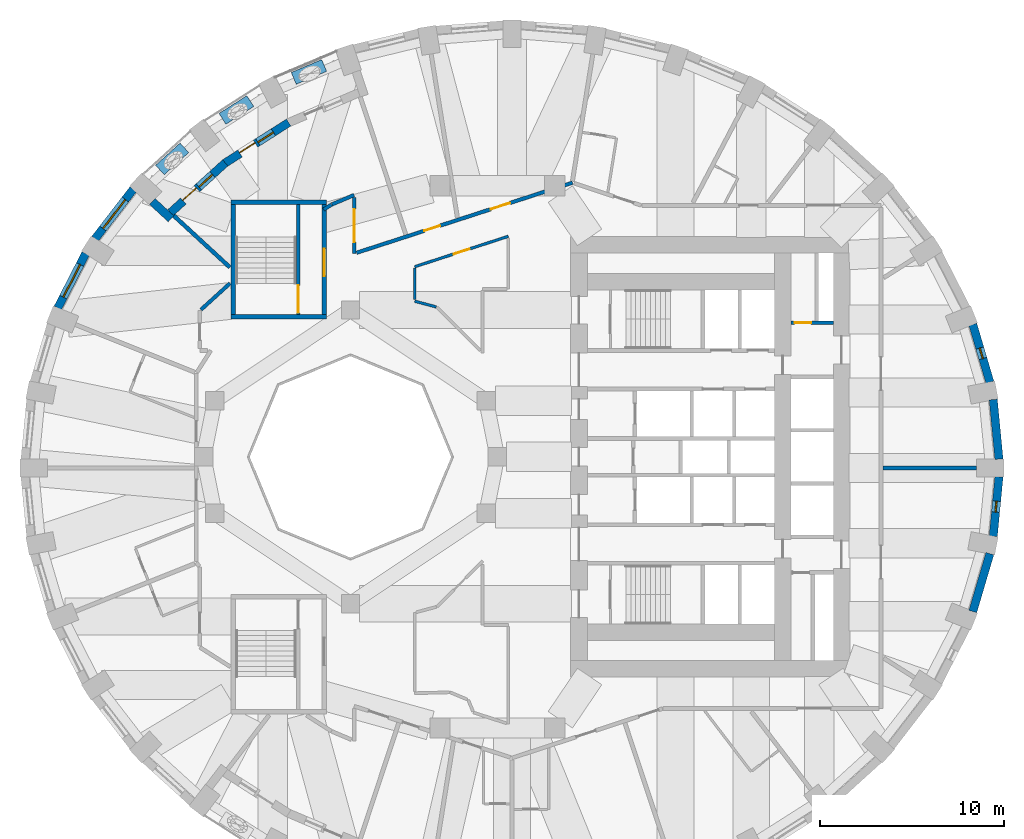
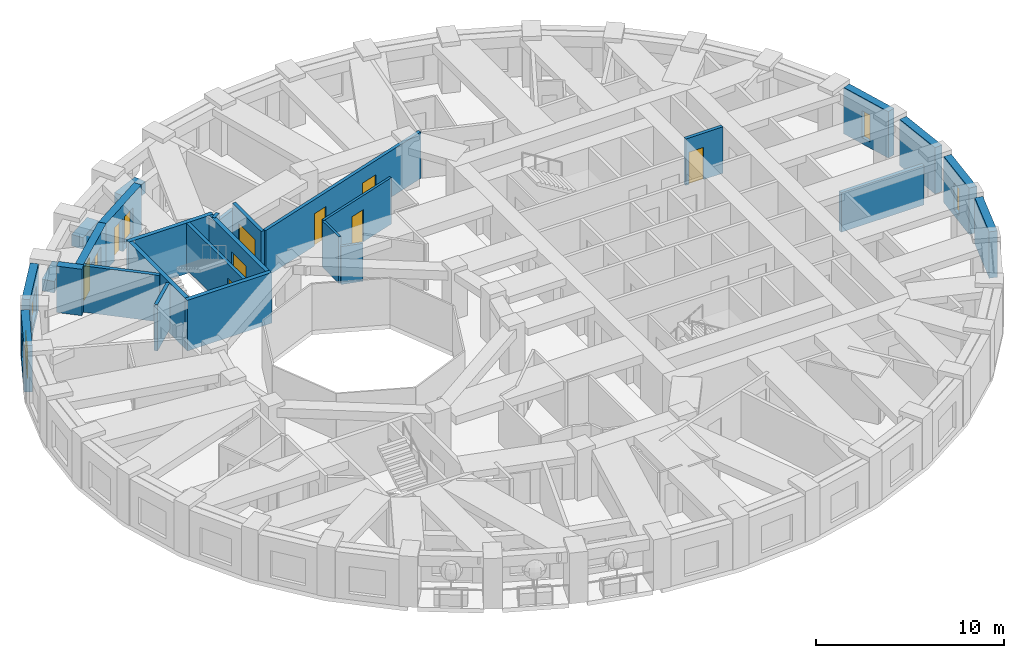
# One storey, part 7 of 12: 28 walls, 9 doors, 6 windows, 15 openings.
"""IFC4 building model written with IfcOpenShell, lengths in metres."""

from ifc_helpers import new_model, si_unit, direction, frame, frame_2d, origin, place, context, subcontext, project, spatial, rectangle, extrude, material, layer, layer_set, constituent, constituent_set, type_object, element, fill, save


model = new_model("IFC4")

# Units and contexts
model_context = context("Model", 3, precision=1e-05, world=origin(), true_north=direction((0.0, 1.0)))
body_context = subcontext(model_context, "Body", "Model", "MODEL_VIEW")
ifc_project = project(units=[si_unit("LENGTHUNIT", "METRE"), si_unit("AREAUNIT", "SQUARE_METRE"), si_unit("VOLUMEUNIT", "CUBIC_METRE"), si_unit("PLANEANGLEUNIT", "RADIAN"), si_unit("MASSUNIT", "GRAM", prefix="KILO")], contexts=[model_context])

# Site, building, storey
site_placement = place(None, origin())
site = spatial("IfcSite", under=ifc_project, at=site_placement, CompositionType="ELEMENT")
building_placement = place(site_placement, origin())
building = spatial("IfcBuilding", under=site, at=building_placement, Name="Taillehof Tower", CompositionType="ELEMENT")
storey_placement = place(building_placement, frame((0.0, 0.0, 121.89990234375)))
storey = spatial("IfcBuildingStorey", under=building, at=storey_placement, Name="L34", CompositionType="ELEMENT", Elevation=121.89990234375)

# Wall
ifc_material_1 = material(Name="Brick masonry", Category="masonry")
ifc_layer_1 = layer(ifc_material_1, 0.449951171875)
ifc_layer_set_1 = layer_set([ifc_layer_1], Name="Brick infill wall 450")
wall_type_1 = type_object("IfcWallType", Name="Brick infill wall 450", PredefinedType="SOLIDWALL", material=ifc_layer_set_1)
wall_1_placement = place(storey_placement, frame((27.32763671875, -0.119873046875, 0.0), z_axis=(0.0, 0.0, 1.0), x_axis=(-0.09589355735, 0.995391594127, 0.0)))
element("IfcWall", 1, at=wall_1_placement, inside=storey, type_object=wall_type_1, Name="Brick wall L34 bay 1", PredefinedType="SOLIDWALL", context=body_context, shape_type="SweptSolid", body=[
    extrude(rectangle(XDim=3.261474609375, YDim=0.449951171875, at=frame_2d((1.630859375, 0.0))), origin(), (0.0, 0.0, 1.0), 3.02001953125),
])

# Wall, opening, window
wall_2_placement = place(storey_placement, frame((26.83203125, 4.069091796875, 0.0), z_axis=(0.0, 0.0, 1.0), x_axis=(-0.283002902729, 0.959119052593, 0.0)))
wall_2 = element("IfcWall", 2, at=wall_2_placement, inside=storey, type_object=wall_type_1, Name="Brick wall L34 bay 2", PredefinedType="SOLIDWALL", context=body_context, shape_type="SweptSolid", body=[
    extrude(rectangle(XDim=3.285888671875, YDim=0.449951171875, at=frame_2d((1.64306640625, 0.0))), origin(), (0.0, 0.0, 1.0), 3.02001953125),
])
opening_1_placement = place(wall_2_placement, frame((1.343017578125, 0.0, 0.39990234375)))
opening_1 = element("IfcOpeningElement", 3, at=opening_1_placement, cuts=wall_2, Name="Opening W6", PredefinedType="OPENING", context=body_context, shape_type="SweptSolid", body=[
    extrude(rectangle(XDim=0.60009765625, YDim=1.75, at=frame_2d((0.300048828125, 0.875))), frame((0.0, 0.23486328125, 0.0), z_axis=(0.0, -1.0, 0.0), x_axis=(1.0, 0.0, 0.0)), (0.0, 0.0, 1.0), 0.469970703125),
])
ifc_material_2 = material(Name="Aluminium window frame with clear double glazing", Category="aluminium")
window_type_1 = type_object("IfcWindowType", Name="Slot window 600x1750", PartitioningType="SINGLE_PANEL", PredefinedType="WINDOW", material=ifc_material_2)
window_1_placement = place(opening_1_placement, origin())
window_1 = element("IfcWindow", 4, at=window_1_placement, inside=storey, type_object=window_type_1, Name="W6", OverallHeight=1.75, OverallWidth=0.60009765625, PartitioningType="SINGLE_PANEL", PredefinedType="WINDOW", context=body_context, shape_type="SweptSolid", body=[
    extrude(rectangle(XDim=0.60009765625, YDim=1.75, at=frame_2d((0.300048828125, 0.875))), frame((0.0, 0.034912109375, 0.0), z_axis=(0.0, -1.0, 0.0), x_axis=(1.0, 0.0, 0.0)), (0.0, 0.0, 1.0), 0.06005859375),
])
fill(opening_1, window_1)

wall_3_placement = place(storey_placement, frame((-19.835205078125, 14.575439453125, 0.0), z_axis=(0.0, 0.0, 1.0), x_axis=(-0.610693945156, -0.791866721961, 0.0)))
wall_3 = element("IfcWall", 5, at=wall_3_placement, inside=storey, type_object=wall_type_1, Name="Brick wall L34 bay 15", PredefinedType="SOLIDWALL", context=body_context, shape_type="SweptSolid", body=[
    extrude(rectangle(XDim=3.39453125, YDim=0.449951171875, at=frame_2d((1.697265625, 0.0))), origin(), (0.0, 0.0, 1.0), 3.02001953125),
])
opening_2_placement = place(wall_3_placement, frame((0.697265625, 0.0, 0.39990234375)))
opening_2 = element("IfcOpeningElement", 6, at=opening_2_placement, cuts=wall_3, Name="Opening W2", PredefinedType="OPENING", context=body_context, shape_type="SweptSolid", body=[
    extrude(rectangle(XDim=2.0, YDim=1.75, at=frame_2d((1.0, 0.875))), frame((0.0, 0.23486328125, 0.0), z_axis=(0.0, -1.0, 0.0), x_axis=(1.0, 0.0, 0.0)), (0.0, 0.0, 1.0), 0.469970703125),
])
ifc_material_3 = material(Name="Aluminium window frame with clear double glazing", Category="aluminium")
window_type_2 = type_object("IfcWindowType", Name="Deep-set window 2000x1750", PartitioningType="SINGLE_PANEL", PredefinedType="WINDOW", material=ifc_material_3)
window_2_placement = place(opening_2_placement, origin())
window_2 = element("IfcWindow", 7, at=window_2_placement, inside=storey, type_object=window_type_2, Name="W2", OverallHeight=1.75, OverallWidth=2.0, PartitioningType="SINGLE_PANEL", PredefinedType="WINDOW", context=body_context, shape_type="SweptSolid", body=[
    extrude(rectangle(XDim=2.0, YDim=1.75, at=frame_2d((1.0, 0.875))), frame((0.0, 0.034912109375, 0.0), z_axis=(0.0, -1.0, 0.0), x_axis=(1.0, 0.0, 0.0)), (0.0, 0.0, 1.0), 0.06005859375),
])
fill(opening_2, window_2)

wall_4_placement = place(storey_placement, frame((-22.4228515625, 11.076904296875, 0.0), z_axis=(0.0, 0.0, 1.0), x_axis=(-0.456828186229, -0.889554949549, 0.0)))
wall_4 = element("IfcWall", 8, at=wall_4_placement, inside=storey, type_object=wall_type_1, Name="Brick wall L34 bay 16", PredefinedType="SOLIDWALL", context=body_context, shape_type="SweptSolid", body=[
    extrude(rectangle(XDim=3.332763671875, YDim=0.449951171875, at=frame_2d((1.66650390625, 0.0))), origin(), (0.0, 0.0, 1.0), 3.02001953125),
])
opening_3_placement = place(wall_4_placement, frame((0.666259765625, 0.0, 0.39990234375)))
opening_3 = element("IfcOpeningElement", 9, at=opening_3_placement, cuts=wall_4, Name="Opening W2", PredefinedType="OPENING", context=body_context, shape_type="SweptSolid", body=[
    extrude(rectangle(XDim=2.0, YDim=1.75, at=frame_2d((1.0, 0.875))), frame((0.0, 0.23486328125, 0.0), z_axis=(0.0, -1.0, 0.0), x_axis=(1.0, 0.0, 0.0)), (0.0, 0.0, 1.0), 0.469970703125),
])
window_3_placement = place(opening_3_placement, origin())
window_3 = element("IfcWindow", 10, at=window_3_placement, inside=storey, type_object=window_type_2, Name="W2", OverallHeight=1.75, OverallWidth=2.0, PartitioningType="SINGLE_PANEL", PredefinedType="WINDOW", context=body_context, shape_type="SweptSolid", body=[
    extrude(rectangle(XDim=2.0, YDim=1.75, at=frame_2d((1.0, 0.875))), frame((0.0, 0.034912109375, 0.0), z_axis=(0.0, -1.0, 0.0), x_axis=(1.0, 0.0, 0.0)), (0.0, 0.0, 1.0), 0.06005859375),
])
fill(opening_3, window_3)

# Wall
wall_5_placement = place(storey_placement, frame((25.902099609375, -8.4208984375, 0.0), z_axis=(0.0, 0.0, 1.0), x_axis=(0.282982737009, 0.95912500257, 0.0)))
element("IfcWall", 11, at=wall_5_placement, inside=storey, type_object=wall_type_1, Name="Brick wall L34 bay 35", PredefinedType="SOLIDWALL", context=body_context, shape_type="SweptSolid", body=[
    extrude(rectangle(XDim=3.2861328125, YDim=0.449951171875, at=frame_2d((1.64306640625, 0.0))), origin(), (0.0, 0.0, 1.0), 3.02001953125),
])

# Wall, opening, window
wall_6_placement = place(storey_placement, frame((27.014892578125, -4.326416015625, 0.0), z_axis=(0.0, 0.0, 1.0), x_axis=(0.09589355735, 0.995391594127, 0.0)))
wall_6 = element("IfcWall", 12, at=wall_6_placement, inside=storey, type_object=wall_type_1, Name="Brick wall L34 bay 36", PredefinedType="SOLIDWALL", context=body_context, shape_type="SweptSolid", body=[
    extrude(rectangle(XDim=3.261474609375, YDim=0.449951171875, at=frame_2d((1.630859375, 0.0))), origin(), (0.0, 0.0, 1.0), 3.02001953125),
])
opening_4_placement = place(wall_6_placement, frame((1.33056640625, 0.0, 0.39990234375)))
opening_4 = element("IfcOpeningElement", 13, at=opening_4_placement, cuts=wall_6, Name="Opening W6", PredefinedType="OPENING", context=body_context, shape_type="SweptSolid", body=[
    extrude(rectangle(XDim=0.60009765625, YDim=1.75, at=frame_2d((0.300048828125, 0.875))), frame((0.0, 0.23486328125, 0.0), z_axis=(0.0, -1.0, 0.0), x_axis=(1.0, 0.0, 0.0)), (0.0, 0.0, 1.0), 0.469970703125),
])
window_4_placement = place(opening_4_placement, origin())
window_4 = element("IfcWindow", 14, at=window_4_placement, inside=storey, type_object=window_type_1, Name="W6", OverallHeight=1.75, OverallWidth=0.60009765625, PartitioningType="SINGLE_PANEL", PredefinedType="WINDOW", context=body_context, shape_type="SweptSolid", body=[
    extrude(rectangle(XDim=0.60009765625, YDim=1.75, at=frame_2d((0.300048828125, 0.875))), frame((0.0, 0.034912109375, 0.0), z_axis=(0.0, -1.0, 0.0), x_axis=(1.0, 0.0, 0.0)), (0.0, 0.0, 1.0), 0.06005859375),
])
fill(opening_4, window_4)

# Wall
wall_7_placement = place(storey_placement, frame((-18.794677734375, 13.916015625, 0.0), z_axis=(0.0, 0.0, 1.0), x_axis=(0.735395448697, -0.677638202905, 0.0)))
element("IfcWall", 15, at=wall_7_placement, inside=storey, type_object=wall_type_1, Name="Brick reveal L34 pocket 3", PredefinedType="SOLIDWALL", context=body_context, shape_type="SweptSolid", body=[
    extrude(rectangle(XDim=1.390625, YDim=0.449951171875, at=frame_2d((0.6953125, 0.0))), origin(), (0.0, 0.0, 1.0), 3.02001953125),
])

# Wall, openings, door, window
wall_8_placement = place(storey_placement, frame((-11.3623046875, 18.216796875, 0.0), z_axis=(0.0, 0.0, 1.0), x_axis=(-0.843284405788, -0.537467590609, 0.0)))
wall_8 = element("IfcWall", 16, at=wall_8_placement, inside=storey, type_object=wall_type_1, Name="Brick wall L34 pocket bay 13", PredefinedType="SOLIDWALL", context=body_context, shape_type="SweptSolid", body=[
    extrude(rectangle(XDim=4.134521484375, YDim=0.449951171875, at=frame_2d((2.0673828125, 0.0))), origin(), (0.0, 0.0, 1.0), 3.02001953125),
])
opening_5_placement = place(wall_8_placement, frame((0.9921875, 0.0, 0.39990234375)))
opening_5 = element("IfcOpeningElement", 17, at=opening_5_placement, cuts=wall_8, Name="Opening W5", PredefinedType="OPENING", context=body_context, shape_type="SweptSolid", body=[
    extrude(rectangle(XDim=1.0, YDim=1.75, at=frame_2d((0.5, 0.875))), frame((0.0, 0.23486328125, 0.0), z_axis=(0.0, -1.0, 0.0), x_axis=(1.0, 0.0, 0.0)), (0.0, 0.0, 1.0), 0.469970703125),
])
opening_6_placement = place(wall_8_placement, frame((2.142333984375, 0.0, 0.0)))
opening_6 = element("IfcOpeningElement", 18, at=opening_6_placement, cuts=wall_8, Name="Opening D3495", PredefinedType="OPENING", context=body_context, shape_type="SweptSolid", body=[
    extrude(rectangle(XDim=1.0, YDim=2.14990234375, at=frame_2d((0.5, 1.074951171875))), frame((0.0, 0.23486328125, 0.0), z_axis=(0.0, -1.0, 0.0), x_axis=(1.0, 0.0, 0.0)), (0.0, 0.0, 1.0), 0.469970703125),
])
ifc_material_4 = material(Name="Aluminium door frame with clear double glazing", Category="aluminium")
door_type_1 = type_object("IfcDoorType", Name="Balcony door 1000x2150", OperationType="SINGLE_SWING_RIGHT", PredefinedType="DOOR", material=ifc_material_4)
door_1_placement = place(opening_6_placement, frame((1.0, 0.0, 0.0), z_axis=(0.0, 0.0, 1.0), x_axis=(-1.0, 0.0, 0.0)))
door_1 = element("IfcDoor", 19, at=door_1_placement, inside=storey, type_object=door_type_1, Name="Balcony door L34 bay 13", OperationType="SINGLE_SWING_LEFT", OverallHeight=2.14990234375, OverallWidth=1.0, PredefinedType="DOOR", context=body_context, shape_type="SweptSolid", body=[
    extrude(rectangle(XDim=1.0, YDim=2.14990234375, at=frame_2d((0.5, 1.074951171875))), frame((0.0, 0.0751953125, 0.0), z_axis=(0.0, -1.0, 0.0), x_axis=(1.0, 0.0, 0.0)), (0.0, 0.0, 1.0), 0.050048828125),
])
fill(opening_6, door_1)
ifc_material_5 = material(Name="Aluminium window frame with clear double glazing", Category="aluminium")
window_type_3 = type_object("IfcWindowType", Name="Fixed window 1000x1750", PartitioningType="SINGLE_PANEL", PredefinedType="WINDOW", material=ifc_material_5)
window_5_placement = place(opening_5_placement, origin())
window_5 = element("IfcWindow", 20, at=window_5_placement, inside=storey, type_object=window_type_3, Name="W5", OverallHeight=1.75, OverallWidth=1.0, PartitioningType="SINGLE_PANEL", PredefinedType="WINDOW", context=body_context, shape_type="SweptSolid", body=[
    extrude(rectangle(XDim=1.0, YDim=1.75, at=frame_2d((0.5, 0.875))), frame((0.0, 0.034912109375, 0.0), z_axis=(0.0, -1.0, 0.0), x_axis=(1.0, 0.0, 0.0)), (0.0, 0.0, 1.0), 0.06005859375),
])
fill(opening_5, window_5)

wall_9_placement = place(storey_placement, frame((-14.818359375, 16.01806640625, 0.0), z_axis=(0.0, 0.0, 1.0), x_axis=(-0.739460283824, -0.673200184675, 0.0)))
wall_9 = element("IfcWall", 21, at=wall_9_placement, inside=storey, type_object=wall_type_1, Name="Brick wall L34 pocket bay 14", PredefinedType="SOLIDWALL", context=body_context, shape_type="SweptSolid", body=[
    extrude(rectangle(XDim=4.031005859375, YDim=0.449951171875, at=frame_2d((2.015625, 0.0))), origin(), (0.0, 0.0, 1.0), 3.02001953125),
])
opening_7_placement = place(wall_9_placement, frame((0.9404296875, 0.0, 0.39990234375)))
opening_7 = element("IfcOpeningElement", 22, at=opening_7_placement, cuts=wall_9, Name="Opening W5", PredefinedType="OPENING", context=body_context, shape_type="SweptSolid", body=[
    extrude(rectangle(XDim=1.0, YDim=1.75, at=frame_2d((0.5, 0.875))), frame((0.0, 0.23486328125, 0.0), z_axis=(0.0, -1.0, 0.0), x_axis=(1.0, 0.0, 0.0)), (0.0, 0.0, 1.0), 0.469970703125),
])
opening_8_placement = place(wall_9_placement, frame((2.090576171875, 0.0, 0.0)))
opening_8 = element("IfcOpeningElement", 23, at=opening_8_placement, cuts=wall_9, Name="Opening D3496", PredefinedType="OPENING", context=body_context, shape_type="SweptSolid", body=[
    extrude(rectangle(XDim=1.0, YDim=2.14990234375, at=frame_2d((0.5, 1.074951171875))), frame((0.0, 0.23486328125, 0.0), z_axis=(0.0, -1.0, 0.0), x_axis=(1.0, 0.0, 0.0)), (0.0, 0.0, 1.0), 0.469970703125),
])
door_2_placement = place(opening_8_placement, frame((1.0, 0.0, 0.0), z_axis=(0.0, 0.0, 1.0), x_axis=(-1.0, 0.0, 0.0)))
door_2 = element("IfcDoor", 24, at=door_2_placement, inside=storey, type_object=door_type_1, Name="Balcony door L34 bay 14", OperationType="SINGLE_SWING_LEFT", OverallHeight=2.14990234375, OverallWidth=1.0, PredefinedType="DOOR", context=body_context, shape_type="SweptSolid", body=[
    extrude(rectangle(XDim=1.0, YDim=2.14990234375, at=frame_2d((0.5, 1.074951171875))), frame((0.0, 0.0751953125, 0.0), z_axis=(0.0, -1.0, 0.0), x_axis=(1.0, 0.0, 0.0)), (0.0, 0.0, 1.0), 0.050048828125),
])
fill(opening_8, door_2)
window_6_placement = place(opening_7_placement, origin())
window_6 = element("IfcWindow", 25, at=window_6_placement, inside=storey, type_object=window_type_3, Name="W5", OverallHeight=1.75, OverallWidth=1.0, PartitioningType="SINGLE_PANEL", PredefinedType="WINDOW", context=body_context, shape_type="SweptSolid", body=[
    extrude(rectangle(XDim=1.0, YDim=1.75, at=frame_2d((0.5, 0.875))), frame((0.0, 0.034912109375, 0.0), z_axis=(0.0, -1.0, 0.0), x_axis=(1.0, 0.0, 0.0)), (0.0, 0.0, 1.0), 0.06005859375),
])
fill(opening_7, window_6)

# Wall, opening, door
ifc_material_6 = material(Name="Calcium silicate masonry", Category="masonry")
ifc_layer_2 = layer(ifc_material_6, 0.199951171875)
ifc_layer_set_2 = layer_set([ifc_layer_2], Name="Compartment wall calcium silicate 200")
wall_type_2 = type_object("IfcWallType", Name="Compartment wall calcium silicate 200", PredefinedType="PARTITIONING", material=ifc_layer_set_2)
wall_10_placement = place(storey_placement, frame((16.0, 7.300048828125, 0.0), z_axis=(0.0, 0.0, 1.0), x_axis=(1.0, 0.0, 0.0)))
wall_10 = element("IfcWall", 26, at=wall_10_placement, inside=storey, type_object=wall_type_2, Name="Compartment wall FW", PredefinedType="PARTITIONING", context=body_context, shape_type="SweptSolid", body=[
    extrude(rectangle(XDim=2.300048828125, YDim=0.199951171875, at=frame_2d((1.14990234375, 0.0))), origin(), (0.0, 0.0, 1.0), 3.02001953125),
])
opening_9_placement = place(wall_10_placement, frame((0.199951171875, 0.0, 0.0)))
opening_9 = element("IfcOpeningElement", 27, at=opening_9_placement, cuts=wall_10, Name="Opening D3416", PredefinedType="OPENING", context=body_context, shape_type="SweptSolid", body=[
    extrude(rectangle(XDim=0.89990234375, YDim=2.10009765625, at=frame_2d((0.449951171875, 1.050048828125))), frame((0.0, 0.10986328125, 0.0), z_axis=(0.0, -1.0, 0.0), x_axis=(1.0, 0.0, 0.0)), (0.0, 0.0, 1.0), 0.219970703125),
])
ifc_material_7 = material(Name="Steel-faced fire door", Category="steel")
door_type_2 = type_object("IfcDoorType", Name="Riser and service room door 900x2100", OperationType="SINGLE_SWING_LEFT", PredefinedType="DOOR", material=ifc_material_7)
door_3_placement = place(opening_9_placement, origin())
door_3 = element("IfcDoor", 28, at=door_3_placement, inside=storey, type_object=door_type_2, Name="Door Waste Room", OperationType="SINGLE_SWING_RIGHT", OverallHeight=2.10009765625, OverallWidth=0.89990234375, PredefinedType="DOOR", context=body_context, shape_type="SweptSolid", body=[
    extrude(rectangle(XDim=0.89990234375, YDim=2.10009765625, at=frame_2d((0.449951171875, 1.050048828125))), frame((0.0, 0.02490234375, 0.0), z_axis=(0.0, -1.0, 0.0), x_axis=(1.0, 0.0, 0.0)), (0.0, 0.0, 1.0), 0.050048828125),
])
fill(opening_9, door_3)

# Walls
ifc_material_8 = material(Name="Gypsum board on steel studs, two layers each side", Category="steel")
ifc_layer_3 = layer(ifc_material_8, 0.199951171875)
ifc_layer_set_3 = layer_set([ifc_layer_3], Name="Compartment wall corridor 200")
wall_type_3 = type_object("IfcWallType", Name="Compartment wall corridor 200", PredefinedType="PARTITIONING", material=ifc_layer_set_3)
wall_11_placement = place(storey_placement, frame((-16.140380859375, 8.0185546875, 0.0), z_axis=(0.0, 0.0, 1.0), x_axis=(0.739392120684, 0.673275049197, 0.0)))
element("IfcWall", 29, at=wall_11_placement, inside=storey, type_object=wall_type_3, Name="Compartment wall", PredefinedType="PARTITIONING", context=body_context, shape_type="SweptSolid", body=[
    extrude(rectangle(XDim=2.137939453125, YDim=0.199951171875, at=frame_2d((1.06884765625, 0.0))), origin(), (0.0, 0.0, 1.0), 3.02001953125),
])
wall_12_placement = place(storey_placement, frame((-9.455078125, 13.4736328125, 0.0), z_axis=(0.0, 0.0, 1.0), x_axis=(0.843342387181, 0.537376607216, 0.0)))
element("IfcWall", 30, at=wall_12_placement, inside=storey, type_object=wall_type_3, Name="Compartment wall", PredefinedType="PARTITIONING", context=body_context, shape_type="SweptSolid", body=[
    extrude(rectangle(XDim=0.50439453125, YDim=0.199951171875, at=frame_2d((0.252197265625, 0.0))), origin(), (0.0, 0.0, 1.0), 3.02001953125),
])
wall_13_placement = place(storey_placement, frame((-9.011474609375, 13.75244140625, 0.0), z_axis=(0.0, 0.0, 1.0), x_axis=(0.920454408747, 0.390849947446, 0.0)))
element("IfcWall", 31, at=wall_13_placement, inside=storey, type_object=wall_type_3, Name="Compartment wall", PredefinedType="PARTITIONING", context=body_context, shape_type="SweptSolid", body=[
    extrude(rectangle(XDim=1.316162109375, YDim=0.199951171875, at=frame_2d((0.658203125, 0.0))), origin(), (0.0, 0.0, 1.0), 2.570068359375),
])

# Wall, opening, door
wall_14_placement = place(storey_placement, frame((-7.800048828125, 14.126708984375, 0.0), z_axis=(0.0, 0.0, 1.0), x_axis=(0.0, -1.0, 0.0)))
wall_14 = element("IfcWall", 32, at=wall_14_placement, inside=storey, type_object=wall_type_3, Name="Compartment wall", PredefinedType="PARTITIONING", context=body_context, shape_type="SweptSolid", body=[
    extrude(rectangle(XDim=3.05029296875, YDim=0.199951171875, at=frame_2d((1.525146484375, 0.0))), origin(), (0.0, 0.0, 1.0), 3.02001953125),
])
opening_10_placement = place(wall_14_placement, frame((0.625244140625, 0.0, 0.0)))
opening_10 = element("IfcOpeningElement", 33, at=opening_10_placement, cuts=wall_14, Name="Opening D3446", PredefinedType="OPENING", context=body_context, shape_type="SweptSolid", body=[
    extrude(rectangle(XDim=1.800048828125, YDim=2.10009765625, at=frame_2d((0.89990234375, 1.050048828125))), frame((0.0, 0.10986328125, 0.0), z_axis=(0.0, -1.0, 0.0), x_axis=(1.0, 0.0, 0.0)), (0.0, 0.0, 1.0), 0.219970703125),
])
ifc_material_9 = material(Name="Timber door leaf in steel frame", Category="steel")
door_type_3 = type_object("IfcDoorType", Name="Lounge and meeting room double door EI 30 1800 x 2100", OperationType="SINGLE_SWING_LEFT", PredefinedType="DOOR", material=ifc_material_9)
door_4_placement = place(opening_10_placement, origin())
door_4 = element("IfcDoor", 34, at=door_4_placement, inside=storey, type_object=door_type_3, Name="D3446", OperationType="DOUBLE_DOOR_SINGLE_SWING", OverallHeight=2.10009765625, OverallWidth=1.800048828125, PredefinedType="DOOR", context=body_context, shape_type="SweptSolid", body=[
    extrude(rectangle(XDim=1.800048828125, YDim=2.10009765625, at=frame_2d((0.89990234375, 1.050048828125))), frame((0.0, 0.02490234375, 0.0), z_axis=(0.0, -1.0, 0.0), x_axis=(1.0, 0.0, 0.0)), (0.0, 0.0, 1.0), 0.050048828125),
])
fill(opening_10, door_4)

# Wall, openings, doors
wall_15_placement = place(storey_placement, frame((-7.666748046875, 11.119140625, 0.0), z_axis=(0.0, 0.0, 1.0), x_axis=(0.951088334028, 0.308919052304, 0.0)))
wall_15 = element("IfcWall", 35, at=wall_15_placement, inside=storey, type_object=wall_type_3, Name="Compartment wall", PredefinedType="PARTITIONING", context=body_context, shape_type="SweptSolid", body=[
    extrude(rectangle(XDim=12.362060546875, YDim=0.199951171875, at=frame_2d((6.18115234375, 0.0))), origin(), (0.0, 0.0, 1.0), 3.02001953125),
])
opening_11_placement = place(wall_15_placement, frame((7.686279296875, 0.0, 0.0)))
opening_11 = element("IfcOpeningElement", 36, at=opening_11_placement, cuts=wall_15, Name="Opening D3444", PredefinedType="OPENING", context=body_context, shape_type="SweptSolid", body=[
    extrude(rectangle(XDim=1.10009765625, YDim=2.10009765625, at=frame_2d((0.550048828125, 1.050048828125))), frame((0.0, 0.10986328125, 0.0), z_axis=(0.0, -1.0, 0.0), x_axis=(1.0, 0.0, 0.0)), (0.0, 0.0, 1.0), 0.219970703125),
])
opening_12_placement = place(wall_15_placement, frame((3.879638671875, 0.0, 0.0)))
opening_12 = element("IfcOpeningElement", 37, at=opening_12_placement, cuts=wall_15, Name="Opening D3445", PredefinedType="OPENING", context=body_context, shape_type="SweptSolid", body=[
    extrude(rectangle(XDim=0.89990234375, YDim=2.10009765625, at=frame_2d((0.449951171875, 1.050048828125))), frame((0.0, 0.10986328125, 0.0), z_axis=(0.0, -1.0, 0.0), x_axis=(1.0, 0.0, 0.0)), (0.0, 0.0, 1.0), 0.219970703125),
])
ifc_material_10 = material(Name="Timber door leaf in steel frame", Category="steel")
door_type_4 = type_object("IfcDoorType", Name="Service room door EI 30 900 x 2100", OperationType="SINGLE_SWING_LEFT", PredefinedType="DOOR", material=ifc_material_10)
door_5_placement = place(opening_12_placement, origin())
door_5 = element("IfcDoor", 38, at=door_5_placement, inside=storey, type_object=door_type_4, Name="D3445", OperationType="SINGLE_SWING_RIGHT", OverallHeight=2.10009765625, OverallWidth=0.89990234375, PredefinedType="DOOR", context=body_context, shape_type="SweptSolid", body=[
    extrude(rectangle(XDim=0.89990234375, YDim=2.10009765625, at=frame_2d((0.449951171875, 1.050048828125))), frame((0.0, 0.02490234375, 0.0), z_axis=(0.0, -1.0, 0.0), x_axis=(1.0, 0.0, 0.0)), (0.0, 0.0, 1.0), 0.050048828125),
])
fill(opening_12, door_5)
ifc_material_11 = material(Name="Timber door leaf in steel frame", Category="steel")
door_type_5 = type_object("IfcDoorType", Name="Suite entrance door EI 30 1100 x 2100", OperationType="SINGLE_SWING_LEFT", PredefinedType="DOOR", material=ifc_material_11)
door_6_placement = place(opening_11_placement, origin())
door_6 = element("IfcDoor", 39, at=door_6_placement, inside=storey, type_object=door_type_5, Name="D3444", OperationType="SINGLE_SWING_LEFT", OverallHeight=2.10009765625, OverallWidth=1.10009765625, PredefinedType="DOOR", context=body_context, shape_type="SweptSolid", body=[
    extrude(rectangle(XDim=1.10009765625, YDim=2.10009765625, at=frame_2d((0.550048828125, 1.050048828125))), frame((0.0, 0.02490234375, 0.0), z_axis=(0.0, -1.0, 0.0), x_axis=(1.0, 0.0, 0.0)), (0.0, 0.0, 1.0), 0.050048828125),
])
fill(opening_11, door_6)

# Walls
ifc_material_12 = material(Name="Gypsum board on double steel studs with mineral wool", Category="steel")
ifc_layer_4 = layer(ifc_material_12, 0.219970703125)
ifc_layer_set_4 = layer_set([ifc_layer_4], Name="Compartment wall guest room 220")
wall_type_4 = type_object("IfcWallType", Name="Compartment wall guest room 220", PredefinedType="PARTITIONING", material=ifc_layer_set_4)
wall_16_placement = place(storey_placement, frame((26.10009765625, -0.60009765625, 0.0), z_axis=(0.0, 0.0, 1.0), x_axis=(-1.0, 0.0, 0.0)))
element("IfcWall", 40, at=wall_16_placement, inside=storey, type_object=wall_type_4, Name="Compartment wall", PredefinedType="PARTITIONING", context=body_context, shape_type="SweptSolid", body=[
    extrude(rectangle(XDim=5.10009765625, YDim=0.219970703125, at=frame_2d((2.550048828125, 0.0))), origin(), (0.0, 0.0, 1.0), 2.570068359375),
])
wall_17_placement = place(storey_placement, frame((-17.633056640625, 13.1513671875, 0.0), z_axis=(0.0, 0.0, 1.0), x_axis=(0.73535370522, -0.677683501511, 0.0)))
element("IfcWall", 41, at=wall_17_placement, inside=storey, type_object=wall_type_4, Name="Compartment wall", PredefinedType="PARTITIONING", context=body_context, shape_type="SweptSolid", body=[
    extrude(rectangle(XDim=4.165771484375, YDim=0.219970703125, at=frame_2d((2.0830078125, 0.0))), origin(), (0.0, 0.0, 1.0), 3.02001953125),
])

# Wall, opening, door
ifc_material_13 = material(Name="Gypsum board on steel studs, two layers each side", Category="steel")
ifc_layer_5 = layer(ifc_material_13, 0.14990234375)
ifc_layer_set_5 = layer_set([ifc_layer_5], Name="Compartment wall service room 150")
wall_type_5 = type_object("IfcWallType", Name="Compartment wall service room 150", PredefinedType="PARTITIONING", material=ifc_layer_set_5)
wall_18_placement = place(storey_placement, frame((-4.5, 10.360595703125, 0.0), z_axis=(0.0, 0.0, 1.0), x_axis=(0.951090931116, 0.308911056372, 0.0)))
wall_18 = element("IfcWall", 42, at=wall_18_placement, inside=storey, type_object=wall_type_5, Name="Compartment wall", PredefinedType="PARTITIONING", context=body_context, shape_type="SweptSolid", body=[
    extrude(rectangle(XDim=5.3623046875, YDim=0.14990234375, at=frame_2d((2.68115234375, 0.0))), origin(), (0.0, 0.0, 1.0), 3.02001953125),
])
opening_13_placement = place(wall_18_placement, frame((2.231201171875, 0.0, 0.0)))
opening_13 = element("IfcOpeningElement", 43, at=opening_13_placement, cuts=wall_18, Name="Opening D3466", PredefinedType="OPENING", context=body_context, shape_type="SweptSolid", body=[
    extrude(rectangle(XDim=0.89990234375, YDim=2.10009765625, at=frame_2d((0.449951171875, 1.050048828125))), frame((0.0, 0.0849609375, 0.0), z_axis=(0.0, -1.0, 0.0), x_axis=(1.0, 0.0, 0.0)), (0.0, 0.0, 1.0), 0.169921875),
])
door_7_placement = place(opening_13_placement, origin())
door_7 = element("IfcDoor", 44, at=door_7_placement, inside=storey, type_object=door_type_4, Name="D3466", OperationType="SINGLE_SWING_LEFT", OverallHeight=2.10009765625, OverallWidth=0.89990234375, PredefinedType="DOOR", context=body_context, shape_type="SweptSolid", body=[
    extrude(rectangle(XDim=0.89990234375, YDim=2.10009765625, at=frame_2d((0.449951171875, 1.050048828125))), frame((0.0, 0.02490234375, 0.0), z_axis=(0.0, -1.0, 0.0), x_axis=(1.0, 0.0, 0.0)), (0.0, 0.0, 1.0), 0.050048828125),
])
fill(opening_13, door_7)

# Walls
wall_19_placement = place(storey_placement, frame((-3.328125, 8.169189453125, 0.0), z_axis=(0.0, 0.0, 1.0), x_axis=(-0.965933680277, 0.258789731841, 0.0)))
element("IfcWall", 45, at=wall_19_placement, inside=storey, type_object=wall_type_5, Name="Compartment wall", PredefinedType="PARTITIONING", context=body_context, shape_type="SweptSolid", body=[
    extrude(rectangle(XDim=1.213134765625, YDim=0.14990234375, at=frame_2d((0.6064453125, 0.0))), origin(), (0.0, 0.0, 1.0), 2.47021484375),
])
wall_20_placement = place(storey_placement, frame((-4.5, 8.563232421875, 0.0), z_axis=(0.0, 0.0, 1.0), x_axis=(0.0, 1.0, 0.0)))
element("IfcWall", 46, at=wall_20_placement, inside=storey, type_object=wall_type_5, Name="Compartment wall", PredefinedType="PARTITIONING", context=body_context, shape_type="SweptSolid", body=[
    extrude(rectangle(XDim=1.71728515625, YDim=0.14990234375, at=frame_2d((0.858642578125, 0.0))), origin(), (0.0, 0.0, 1.0), 3.02001953125),
])
ifc_material_14 = material(Name="Concrete C30/37 precast", Category="concrete")
ifc_constituent_1 = constituent(ifc_material_14, Name="Structure", Category="concrete")
ifc_material_15 = material(Name="Insulated lining")
ifc_constituent_2 = constituent(ifc_material_15, Name="Lining")
ifc_constituent_set = constituent_set(constituents=[ifc_constituent_1, ifc_constituent_2], Name="Planter trough 700x750")
wall_type_6 = type_object("IfcWallType", Name="Planter trough 700x750", PredefinedType="USERDEFINED", material=ifc_constituent_set)
for number, where, z_axis, x_axis, name in (
    (47, (-9.431884765625, 21.32177734375, 0.0), (0.0, 0.0, 1.0), (-0.920903594752, -0.389790416984, 0.0), "Planter L34 bay 12"),
    (48, (-13.45361328125, 19.3818359375, 0.0), (0.0, 0.0, 1.0), (-0.843873638802, -0.536541966425, 0.0), "Planter L34 bay 13"),
):
    element("IfcWall", number, at=place(storey_placement, frame(where, z_axis=z_axis, x_axis=x_axis)), inside=storey, type_object=wall_type_6, Name=name, ObjectType="PLANTER", PredefinedType="USERDEFINED", context=body_context, shape_type="SweptSolid", body=[
        extrude(rectangle(XDim=1.800048828125, YDim=0.699951171875, at=frame_2d((0.89990234375, 0.0))), origin(), (0.0, 0.0, 1.0), 0.75),
    ])
wall_21_placement = place(storey_placement, frame((-17.044189453125, 16.839111328125, 0.0), z_axis=(0.0, 0.0, 1.0), x_axis=(-0.740332755969, -0.6722405897, 0.0)))
element("IfcWall", 49, at=wall_21_placement, inside=storey, type_object=wall_type_6, Name="Planter L34 bay 14", ObjectType="PLANTER", PredefinedType="USERDEFINED", context=body_context, shape_type="SweptSolid", body=[
    extrude(rectangle(XDim=1.7998046875, YDim=0.699951171875, at=frame_2d((0.89990234375, 0.0))), origin(), (0.0, 0.0, 1.0), 0.75),
])

# Wall, opening, door
ifc_material_16 = material(Name="Concrete C50/60", Category="concrete")
ifc_layer_6 = layer(ifc_material_16, 0.199951171875)
ifc_layer_set_6 = layer_set([ifc_layer_6], Name="Shaft wall C50/60 200")
wall_type_7 = type_object("IfcWallType", Name="Shaft wall C50/60 200", PredefinedType="SHEAR", material=ifc_layer_set_6)
wall_22_placement = place(storey_placement, frame((-10.85009765625, 7.75, 0.0), z_axis=(0.0, 0.0, 1.0), x_axis=(0.0, 1.0, 0.0)))
wall_22 = element("IfcWall", 50, at=wall_22_placement, inside=storey, type_object=wall_type_7, Name="Shaft wall SW", PredefinedType="SHEAR", context=body_context, shape_type="SweptSolid", body=[
    extrude(rectangle(XDim=6.0, YDim=0.199951171875, at=frame_2d((3.0, 0.0))), origin(), (0.0, 0.0, 1.0), 3.02001953125),
])
opening_14_placement = place(wall_22_placement, frame((0.10009765625, 0.0, 0.0)))
opening_14 = element("IfcOpeningElement", 51, at=opening_14_placement, cuts=wall_22, Name="Opening D3412", PredefinedType="OPENING", context=body_context, shape_type="SweptSolid", body=[
    extrude(rectangle(XDim=1.5, YDim=2.10009765625, at=frame_2d((0.75, 1.050048828125))), frame((0.0, 0.10986328125, 0.0), z_axis=(0.0, -1.0, 0.0), x_axis=(1.0, 0.0, 0.0)), (0.0, 0.0, 1.0), 0.219970703125),
])
ifc_material_17 = material(Name="Steel-faced fire door", Category="steel")
door_type_6 = type_object("IfcDoorType", Name="Stair door 1500x2100", OperationType="DOUBLE_DOOR_SINGLE_SWING", PredefinedType="DOOR", material=ifc_material_17)
door_8_placement = place(opening_14_placement, origin())
door_8 = element("IfcDoor", 52, at=door_8_placement, inside=storey, type_object=door_type_6, Name="Stair lobby door S3", OperationType="DOUBLE_DOOR_SINGLE_SWING", OverallHeight=2.10009765625, OverallWidth=1.5, PredefinedType="DOOR", context=body_context, shape_type="SweptSolid", body=[
    extrude(rectangle(XDim=1.5, YDim=2.10009765625, at=frame_2d((0.75, 1.050048828125))), frame((0.0, 0.02490234375, 0.0), z_axis=(0.0, -1.0, 0.0), x_axis=(1.0, 0.0, 0.0)), (0.0, 0.0, 1.0), 0.050048828125),
])
fill(opening_14, door_8)

# Wall
ifc_material_18 = material(Name="Concrete C50/60", Category="concrete")
ifc_layer_7 = layer(ifc_material_18, 0.25)
ifc_layer_set_7 = layer_set([ifc_layer_7], Name="Stair wall C50/60 250")
wall_type_8 = type_object("IfcWallType", Name="Stair wall C50/60 250", PredefinedType="SHEAR", material=ifc_layer_set_7)
wall_23_placement = place(storey_placement, frame((-14.375, 7.75, -0.27978515625), z_axis=(0.0, 0.0, 1.0), x_axis=(0.0, 1.0, 0.0)))
element("IfcWall", 53, at=wall_23_placement, inside=storey, type_object=wall_type_8, Name="Stair wall SC", PredefinedType="SHEAR", context=body_context, shape_type="SweptSolid", body=[
    extrude(rectangle(XDim=6.0, YDim=0.25, at=frame_2d((3.0, 0.0))), origin(), (0.0, 0.0, 1.0), 3.2998046875),
])

# Wall, opening, door
wall_24_placement = place(storey_placement, frame((-9.425048828125, 7.75, -0.27978515625), z_axis=(0.0, 0.0, 1.0), x_axis=(0.0, 1.0, 0.0)))
wall_24 = element("IfcWall", 54, at=wall_24_placement, inside=storey, type_object=wall_type_8, Name="Stair wall SC", PredefinedType="SHEAR", context=body_context, shape_type="SweptSolid", body=[
    extrude(rectangle(XDim=6.0, YDim=0.25, at=frame_2d((3.0, 0.0))), origin(), (0.0, 0.0, 1.0), 3.2998046875),
])
opening_15_placement = place(wall_24_placement, frame((2.10009765625, 0.0, 0.280029296875)))
opening_15 = element("IfcOpeningElement", 55, at=opening_15_placement, cuts=wall_24, Name="Opening D3419", PredefinedType="OPENING", context=body_context, shape_type="SweptSolid", body=[
    extrude(rectangle(XDim=1.5, YDim=2.10009765625, at=frame_2d((0.75, 1.050048828125))), frame((0.0, 0.135009765625, 0.0), z_axis=(0.0, -1.0, 0.0), x_axis=(1.0, 0.0, 0.0)), (0.0, 0.0, 1.0), 0.27001953125),
])
door_9_placement = place(opening_15_placement, origin())
door_9 = element("IfcDoor", 56, at=door_9_placement, inside=storey, type_object=door_type_6, Name="Stair door S3", OperationType="DOUBLE_DOOR_SINGLE_SWING", OverallHeight=2.10009765625, OverallWidth=1.5, PredefinedType="DOOR", context=body_context, shape_type="SweptSolid", body=[
    extrude(rectangle(XDim=1.5, YDim=2.10009765625, at=frame_2d((0.75, 1.050048828125))), frame((0.0, 0.02490234375, 0.0), z_axis=(0.0, -1.0, 0.0), x_axis=(1.0, 0.0, 0.0)), (0.0, 0.0, 1.0), 0.050048828125),
])
fill(opening_15, door_9)

# Walls
for number, where, z_axis, x_axis, name in (
    (57, (-14.5, 13.875, -0.27978515625), (0.0, 0.0, 1.0), (1.0, 0.0, 0.0), "Stair wall SC"),
    (58, (-14.5, 7.625, -0.27978515625), (0.0, 0.0, 1.0), (1.0, 0.0, 0.0), "Stair wall SC"),
):
    element("IfcWall", number, at=place(storey_placement, frame(where, z_axis=z_axis, x_axis=x_axis)), inside=storey, type_object=wall_type_8, Name=name, PredefinedType="SHEAR", context=body_context, shape_type="SweptSolid", body=[
        extrude(rectangle(XDim=5.199951171875, YDim=0.25, at=frame_2d((2.60009765625, 0.0))), origin(), (0.0, 0.0, 1.0), 3.2998046875),
    ])

save(model, "model.ifc")
